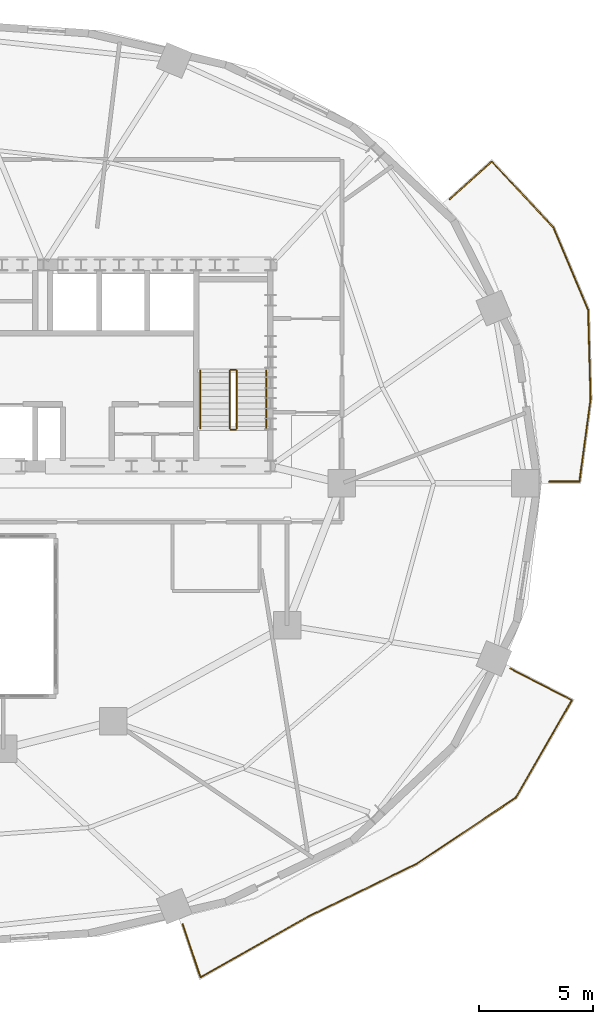
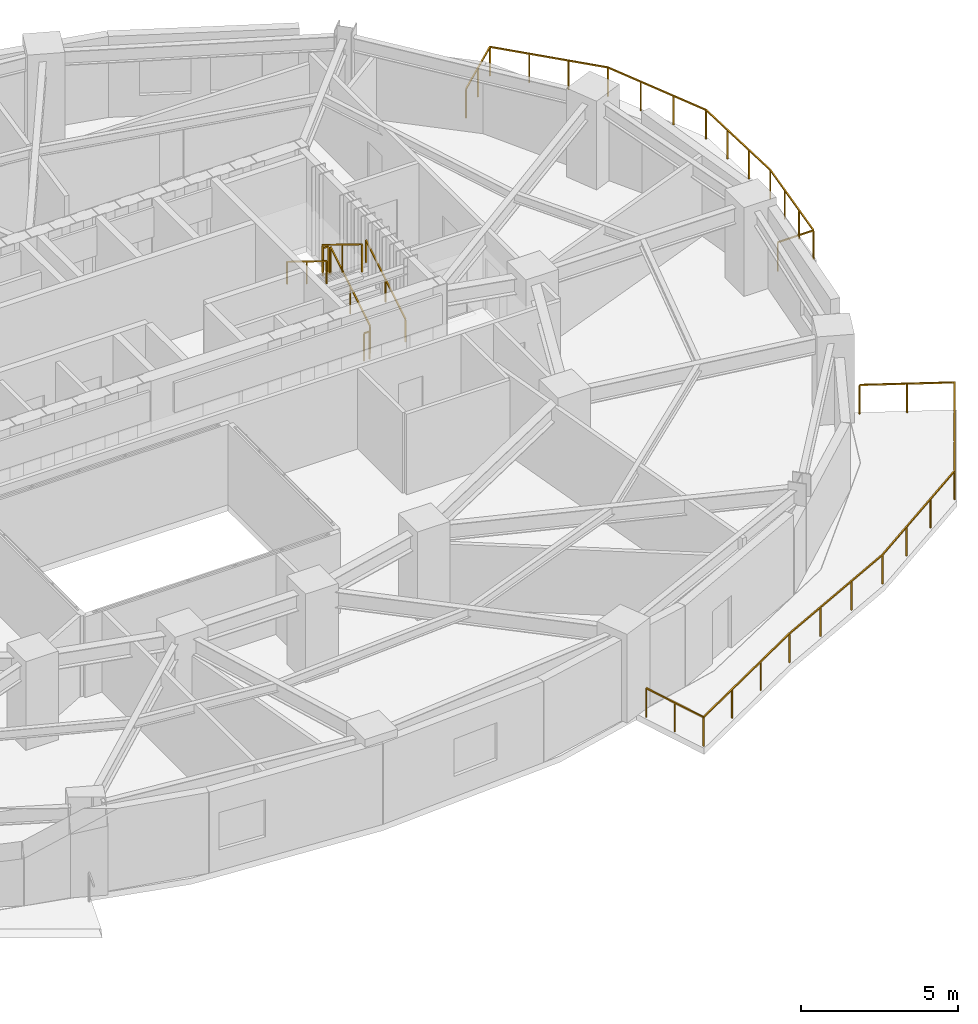
# One storey, part 12 of 12: 8 railings.
"""IFC4 building model written with IfcOpenShell, lengths in metres."""

from ifc_helpers import new_model, si_unit, direction, frame, origin, origin_2d, place, context, subcontext, project, spatial, rectangle, extrude, material, type_object, element, save


model = new_model("IFC4")

# Units and contexts
model_context = context("Model", 3, precision=1e-05, world=origin(), true_north=direction((0.0, 1.0)))
body_context = subcontext(model_context, "Body", "Model", "MODEL_VIEW")
ifc_project = project(units=[si_unit("LENGTHUNIT", "METRE"), si_unit("AREAUNIT", "SQUARE_METRE"), si_unit("VOLUMEUNIT", "CUBIC_METRE"), si_unit("PLANEANGLEUNIT", "RADIAN"), si_unit("MASSUNIT", "GRAM", prefix="KILO")], contexts=[model_context])

# Site, building, storey
site_placement = place(None, origin())
site = spatial("IfcSite", under=ifc_project, at=site_placement, CompositionType="ELEMENT")
building_placement = place(site_placement, origin())
building = spatial("IfcBuilding", under=site, at=building_placement, Name="Haldorwick Loom Tower", CompositionType="ELEMENT")
storey_placement = place(building_placement, frame((0.0, 0.0, 146.0)))
storey = spatial("IfcBuildingStorey", under=building, at=storey_placement, Name="L39", CompositionType="ELEMENT", Elevation=146.0)

# Railings
ifc_material_1 = material(Name="Galvanized Steel CSA G40.21 350W", Category="steel")
railing_type_1 = type_object("IfcRailingType", Name="ARC-RLG-BAL115", PredefinedType="BALUSTRADE", material=ifc_material_1)
railing_1_placement = place(storey_placement, frame((60.552734375, 17.91259765625, 0.0)))
element("IfcRailing", 1, at=railing_1_placement, inside=storey, type_object=railing_type_1, Name="L39 Outdoor Terrace Guardrail SLB-L39-BAL_SE-1", PredefinedType="BALUSTRADE", context=body_context, shape_type="SweptSolid", body=[
    extrude(rectangle(XDim=0.048095703125, YDim=0.048095703125, at=origin_2d()), frame((0.0, 0.0, 1.1259765625), z_axis=(0.88849659396, -0.45888321229, 0.0), x_axis=(0.45888321229, 0.88849659396, 0.0)), (0.0, 0.0, 1.0), 3.02783203125),
    extrude(rectangle(XDim=0.048095703125, YDim=0.048095703125, at=origin_2d()), frame((2.690185546875, -1.389404296875, 1.1259765625), z_axis=(-0.499653669952, -0.866225265219, 0.0), x_axis=(0.866225265219, -0.499653669952, 0.0)), (0.0, 0.0, 1.0), 4.91650390625),
    extrude(rectangle(XDim=0.048095703125, YDim=0.048095703125, at=origin_2d()), frame((0.233642578125, -5.648193359375, 1.1259765625), z_axis=(-0.831587514247, -0.555393739746, 0.0), x_axis=(0.555393739746, -0.831587514247, 0.0)), (0.0, 0.0, 1.0), 5.197509765625),
    extrude(rectangle(XDim=0.048095703125, YDim=0.048095703125, at=origin_2d()), frame((-4.088623046875, -8.534912109375, 1.1259765625), z_axis=(-0.899741530377, -0.436423164503, 0.0), x_axis=(0.436423164503, -0.899741530377, 0.0)), (0.0, 0.0, 1.0), 5.283203125),
    extrude(rectangle(XDim=0.048095703125, YDim=0.048095703125, at=origin_2d()), frame((-8.842041015625, -10.840576171875, 1.1259765625), z_axis=(-0.884918222382, -0.465746432833, 0.0), x_axis=(0.465746432833, -0.884918222382, 0.0)), (0.0, 0.0, 1.0), 0.005126953125),
    extrude(rectangle(XDim=0.048095703125, YDim=0.048095703125, at=origin_2d()), frame((-8.8466796875, -10.843017578125, 1.1259765625), z_axis=(-0.870535813637, -0.492105067212, 0.0), x_axis=(0.492105067212, -0.870535813637, 0.0)), (0.0, 0.0, 1.0), 5.38427734375),
    extrude(rectangle(XDim=0.048095703125, YDim=0.048095703125, at=origin_2d()), frame((-13.533935546875, -13.49267578125, 1.1259765625), z_axis=(-0.318031914644, 0.948080007841, 0.0), x_axis=(-0.948080007841, -0.318031914644, 0.0)), (0.0, 0.0, 1.0), 2.43505859375),
    extrude(rectangle(XDim=0.0419921875, YDim=0.0419921875, at=origin_2d()), origin(), (0.0, 0.0, 1.0), 1.101806640625),
    extrude(rectangle(XDim=0.0419921875, YDim=0.0419921875, at=origin_2d()), frame((1.34521484375, -0.69482421875, 0.0)), (0.0, 0.0, 1.0), 1.101806640625),
    extrude(rectangle(XDim=0.0419921875, YDim=0.0419921875, at=origin_2d()), frame((2.690185546875, -1.389404296875, 0.0)), (0.0, 0.0, 1.0), 1.101806640625),
    extrude(rectangle(XDim=0.0419921875, YDim=0.0419921875, at=origin_2d()), frame((1.871337890625, -2.80908203125, 0.0)), (0.0, 0.0, 1.0), 1.101806640625),
    extrude(rectangle(XDim=0.0419921875, YDim=0.0419921875, at=origin_2d()), frame((1.052490234375, -4.228515625, 0.0)), (0.0, 0.0, 1.0), 1.101806640625),
    extrude(rectangle(XDim=0.0419921875, YDim=0.0419921875, at=origin_2d()), frame((0.233642578125, -5.648193359375, 0.0)), (0.0, 0.0, 1.0), 1.101806640625),
    extrude(rectangle(XDim=0.0419921875, YDim=0.0419921875, at=origin_2d()), frame((-1.20703125, -6.6103515625, 0.0)), (0.0, 0.0, 1.0), 1.101806640625),
    extrude(rectangle(XDim=0.0419921875, YDim=0.0419921875, at=origin_2d()), frame((-2.64794921875, -7.57275390625, 0.0)), (0.0, 0.0, 1.0), 1.101806640625),
    extrude(rectangle(XDim=0.0419921875, YDim=0.0419921875, at=origin_2d()), frame((-4.088623046875, -8.534912109375, 0.0)), (0.0, 0.0, 1.0), 1.101806640625),
    extrude(rectangle(XDim=0.0419921875, YDim=0.0419921875, at=origin_2d()), frame((-5.673095703125, -9.303466796875, 0.0)), (0.0, 0.0, 1.0), 1.101806640625),
    extrude(rectangle(XDim=0.0419921875, YDim=0.0419921875, at=origin_2d()), frame((-7.257568359375, -10.072021484375, 0.0)), (0.0, 0.0, 1.0), 1.101806640625),
    extrude(rectangle(XDim=0.0419921875, YDim=0.0419921875, at=origin_2d()), frame((-8.842041015625, -10.840576171875, 0.0)), (0.0, 0.0, 1.0), 1.101806640625),
    extrude(rectangle(XDim=0.0419921875, YDim=0.0419921875, at=origin_2d()), frame((-10.4091796875, -11.726318359375, 0.0)), (0.0, 0.0, 1.0), 1.101806640625),
    extrude(rectangle(XDim=0.0419921875, YDim=0.0419921875, at=origin_2d()), frame((-11.971435546875, -12.609375, 0.0)), (0.0, 0.0, 1.0), 1.101806640625),
    extrude(rectangle(XDim=0.0419921875, YDim=0.0419921875, at=origin_2d()), frame((-13.533935546875, -13.49267578125, 0.0)), (0.0, 0.0, 1.0), 1.101806640625),
    extrude(rectangle(XDim=0.0419921875, YDim=0.0419921875, at=origin_2d()), frame((-13.921142578125, -12.33837890625, 0.0)), (0.0, 0.0, 1.0), 1.101806640625),
    extrude(rectangle(XDim=0.0419921875, YDim=0.0419921875, at=origin_2d()), frame((-14.308349609375, -11.18408203125, 0.0)), (0.0, 0.0, 1.0), 1.101806640625),
])
railing_2_placement = place(storey_placement, frame((57.912353515625, 38.41748046875, 0.0)))
element("IfcRailing", 2, at=railing_2_placement, inside=storey, type_object=railing_type_1, Name="L39 Outdoor Terrace Guardrail SLB-L39-BAL_ENE-1", PredefinedType="BALUSTRADE", context=body_context, shape_type="SweptSolid", body=[
    extrude(rectangle(XDim=0.048095703125, YDim=0.048095703125, at=origin_2d()), frame((0.0, 0.0, 1.1259765625), z_axis=(0.74343228508, 0.668811212152, 0.0), x_axis=(-0.668811212152, 0.74343228508, 0.0)), (0.0, 0.0, 1.0), 2.46044921875),
    extrude(rectangle(XDim=0.048095703125, YDim=0.048095703125, at=origin_2d()), frame((1.8291015625, 1.6455078125, 1.1259765625), z_axis=(0.683138961253, -0.73028840852, 0.0), x_axis=(0.73028840852, 0.683138961253, 0.0)), (0.0, 0.0, 1.0), 3.93017578125),
    extrude(rectangle(XDim=0.048095703125, YDim=0.048095703125, at=origin_2d()), frame((4.513916015625, -1.224609375, 1.1259765625), z_axis=(0.389591209707, -0.920987887716, 0.0), x_axis=(0.920987887716, 0.389591209707, 0.0)), (0.0, 0.0, 1.0), 3.91845703125),
    extrude(rectangle(XDim=0.048095703125, YDim=0.048095703125, at=origin_2d()), frame((6.04052734375, -4.83349609375, 1.1259765625), z_axis=(0.0273664576, -0.999625468362, 0.0), x_axis=(0.999625468362, 0.0273664576, 0.0)), (0.0, 0.0, 1.0), 3.907470703125),
    extrude(rectangle(XDim=0.048095703125, YDim=0.048095703125, at=origin_2d()), frame((6.1474609375, -8.739501953125, 1.1259765625), z_axis=(-0.133951807797, -0.990987847144, 0.0), x_axis=(0.990987847144, -0.133951807797, 0.0)), (0.0, 0.0, 1.0), 3.630615234375),
    extrude(rectangle(XDim=0.048095703125, YDim=0.048095703125, at=origin_2d()), frame((5.6611328125, -12.33740234375, 1.1259765625), z_axis=(-1.0, 0.0, 0.0), x_axis=(0.0, -1.0, 0.0)), (0.0, 0.0, 1.0), 1.313232421875),
    extrude(rectangle(XDim=0.0419921875, YDim=0.0419921875, at=origin_2d()), origin(), (0.0, 0.0, 1.0), 1.101806640625),
    extrude(rectangle(XDim=0.0419921875, YDim=0.0419921875, at=origin_2d()), frame((0.91455078125, 0.82275390625, 0.0)), (0.0, 0.0, 1.0), 1.101806640625),
    extrude(rectangle(XDim=0.0419921875, YDim=0.0419921875, at=origin_2d()), frame((1.8291015625, 1.6455078125, 0.0)), (0.0, 0.0, 1.0), 1.101806640625),
    extrude(rectangle(XDim=0.0419921875, YDim=0.0419921875, at=origin_2d()), frame((2.72412109375, 0.688720703125, 0.0)), (0.0, 0.0, 1.0), 1.101806640625),
    extrude(rectangle(XDim=0.0419921875, YDim=0.0419921875, at=origin_2d()), frame((3.618896484375, -0.267822265625, 0.0)), (0.0, 0.0, 1.0), 1.101806640625),
    extrude(rectangle(XDim=0.0419921875, YDim=0.0419921875, at=origin_2d()), frame((4.513916015625, -1.224609375, 0.0)), (0.0, 0.0, 1.0), 1.101806640625),
    extrude(rectangle(XDim=0.0419921875, YDim=0.0419921875, at=origin_2d()), frame((5.022705078125, -2.427490234375, 0.0)), (0.0, 0.0, 1.0), 1.101806640625),
    extrude(rectangle(XDim=0.0419921875, YDim=0.0419921875, at=origin_2d()), frame((5.53173828125, -3.630615234375, 0.0)), (0.0, 0.0, 1.0), 1.101806640625),
    extrude(rectangle(XDim=0.0419921875, YDim=0.0419921875, at=origin_2d()), frame((6.04052734375, -4.83349609375, 0.0)), (0.0, 0.0, 1.0), 1.101806640625),
    extrude(rectangle(XDim=0.0419921875, YDim=0.0419921875, at=origin_2d()), frame((6.076171875, -6.135498046875, 0.0)), (0.0, 0.0, 1.0), 1.101806640625),
    extrude(rectangle(XDim=0.0419921875, YDim=0.0419921875, at=origin_2d()), frame((6.11181640625, -7.4375, 0.0)), (0.0, 0.0, 1.0), 1.101806640625),
    extrude(rectangle(XDim=0.0419921875, YDim=0.0419921875, at=origin_2d()), frame((6.1474609375, -8.739501953125, 0.0)), (0.0, 0.0, 1.0), 1.101806640625),
    extrude(rectangle(XDim=0.0419921875, YDim=0.0419921875, at=origin_2d()), frame((5.9853515625, -9.938720703125, 0.0)), (0.0, 0.0, 1.0), 1.101806640625),
    extrude(rectangle(XDim=0.0419921875, YDim=0.0419921875, at=origin_2d()), frame((5.8232421875, -11.13818359375, 0.0)), (0.0, 0.0, 1.0), 1.101806640625),
    extrude(rectangle(XDim=0.0419921875, YDim=0.0419921875, at=origin_2d()), frame((5.6611328125, -12.33740234375, 0.0)), (0.0, 0.0, 1.0), 1.101806640625),
    extrude(rectangle(XDim=0.0419921875, YDim=0.0419921875, at=origin_2d()), frame((4.347900390625, -12.33740234375, 0.0)), (0.0, 0.0, 1.0), 1.101806640625),
])
ifc_material_2 = material(Name="Steel CSA G40.21 350W", Category="steel")
railing_type_2 = type_object("IfcRailingType", Name="ARC-RLG-GUARD112", PredefinedType="GUARDRAIL", material=ifc_material_2)
railing_3_placement = place(storey_placement, frame((48.60009765625, 28.39990234375, 0.172607421875)))
element("IfcRailing", 3, at=railing_3_placement, inside=storey, type_object=railing_type_2, Name="L39 ST-02 stair guard 1", PredefinedType="GUARDRAIL", context=body_context, shape_type="SweptSolid", body=[
    extrude(rectangle(XDim=0.048095703125, YDim=0.048095703125, at=origin_2d()), frame((0.0, 0.0, 1.076171875), z_axis=(0.0, 0.851400495292, 0.524516154772), x_axis=(-1.0, 0.0, 0.0)), (0.0, 0.0, 1.0), 2.9599609375),
    extrude(rectangle(XDim=0.0419921875, YDim=0.0419921875, at=origin_2d()), origin(), (0.0, 0.0, 1.0), 1.052001953125),
    extrude(rectangle(XDim=0.0419921875, YDim=0.0419921875, at=origin_2d()), frame((0.0, 1.260009765625, 0.7763671875)), (0.0, 0.0, 1.0), 1.052001953125),
    extrude(rectangle(XDim=0.0419921875, YDim=0.0419921875, at=origin_2d()), frame((0.0, 2.52001953125, 1.552490234375)), (0.0, 0.0, 1.0), 1.052001953125),
])
railing_4_placement = place(storey_placement, frame((48.550048828125, 30.969970703125, 1.72509765625)))
element("IfcRailing", 4, at=railing_4_placement, inside=storey, type_object=railing_type_2, Name="L39 ST-02 stair guard 2", PredefinedType="GUARDRAIL", context=body_context, shape_type="SweptSolid", body=[
    extrude(rectangle(XDim=0.048095703125, YDim=0.048095703125, at=origin_2d()), frame((0.0, 0.0, 1.076171875), z_axis=(-1.0, 0.0, 0.0), x_axis=(0.0, -1.0, 0.0)), (0.0, 0.0, 1.0), 0.199951171875),
    extrude(rectangle(XDim=0.0419921875, YDim=0.0419921875, at=origin_2d()), origin(), (0.0, 0.0, 1.0), 1.052001953125),
    extrude(rectangle(XDim=0.0419921875, YDim=0.0419921875, at=origin_2d()), frame((-0.199951171875, 0.0, 0.0)), (0.0, 0.0, 1.0), 1.052001953125),
])
railing_5_placement = place(storey_placement, frame((48.300048828125, 30.919921875, 1.8974609375)))
element("IfcRailing", 5, at=railing_5_placement, inside=storey, type_object=railing_type_2, Name="L39 ST-02 stair guard 3", PredefinedType="GUARDRAIL", context=body_context, shape_type="SweptSolid", body=[
    extrude(rectangle(XDim=0.048095703125, YDim=0.048095703125, at=origin_2d()), frame((0.0, 0.0, 1.076171875), z_axis=(0.0, -0.851400495292, 0.524516154772), x_axis=(1.0, 0.0, 0.0)), (0.0, 0.0, 1.0), 2.9599609375),
    extrude(rectangle(XDim=0.0419921875, YDim=0.0419921875, at=origin_2d()), origin(), (0.0, 0.0, 1.0), 1.052001953125),
    extrude(rectangle(XDim=0.0419921875, YDim=0.0419921875, at=origin_2d()), frame((0.0, -1.260009765625, 0.7763671875)), (0.0, 0.0, 1.0), 1.052001953125),
    extrude(rectangle(XDim=0.0419921875, YDim=0.0419921875, at=origin_2d()), frame((0.0, -2.52001953125, 1.552490234375)), (0.0, 0.0, 1.0), 1.052001953125),
])
railing_6_placement = place(storey_placement, frame((48.550048828125, 28.35009765625, 0.0)))
element("IfcRailing", 6, at=railing_6_placement, inside=storey, type_object=railing_type_2, Name="L39 ST-02 stair guard 4", PredefinedType="GUARDRAIL", context=body_context, shape_type="SweptSolid", body=[
    extrude(rectangle(XDim=0.048095703125, YDim=0.048095703125, at=origin_2d()), frame((0.0, 0.0, 1.076171875), z_axis=(-1.0, 0.0, 0.0), x_axis=(0.0, -1.0, 0.0)), (0.0, 0.0, 1.0), 0.199951171875),
    extrude(rectangle(XDim=0.0419921875, YDim=0.0419921875, at=origin_2d()), origin(), (0.0, 0.0, 1.0), 1.052001953125),
    extrude(rectangle(XDim=0.0419921875, YDim=0.0419921875, at=origin_2d()), frame((-0.199951171875, 0.0, 0.0)), (0.0, 0.0, 1.0), 1.052001953125),
])
railing_type_3 = type_object("IfcRailingType", Name="ARC-RLG-HAND092", PredefinedType="HANDRAIL", material=ifc_material_2)
railing_7_placement = place(storey_placement, frame((49.89990234375, 28.39990234375, 0.172607421875)))
element("IfcRailing", 7, at=railing_7_placement, inside=storey, type_object=railing_type_3, Name="L39 ST-02 stair handrail 1", PredefinedType="HANDRAIL", context=body_context, shape_type="SweptSolid", body=[
    extrude(rectangle(XDim=0.048095703125, YDim=0.048095703125, at=origin_2d()), frame((0.0, 0.0, 0.8759765625), z_axis=(0.0, 0.851400495292, 0.524516154772), x_axis=(-1.0, 0.0, 0.0)), (0.0, 0.0, 1.0), 2.9599609375),
    extrude(rectangle(XDim=0.0419921875, YDim=0.0419921875, at=origin_2d()), origin(), (0.0, 0.0, 1.0), 0.851806640625),
    extrude(rectangle(XDim=0.0419921875, YDim=0.0419921875, at=origin_2d()), frame((0.0, 1.260009765625, 0.7763671875)), (0.0, 0.0, 1.0), 0.851806640625),
    extrude(rectangle(XDim=0.0419921875, YDim=0.0419921875, at=origin_2d()), frame((0.0, 2.52001953125, 1.552490234375)), (0.0, 0.0, 1.0), 0.851806640625),
])
railing_8_placement = place(storey_placement, frame((47.0, 30.919921875, 1.8974609375)))
element("IfcRailing", 8, at=railing_8_placement, inside=storey, type_object=railing_type_3, Name="L39 ST-02 stair handrail 2", PredefinedType="HANDRAIL", context=body_context, shape_type="SweptSolid", body=[
    extrude(rectangle(XDim=0.048095703125, YDim=0.048095703125, at=origin_2d()), frame((0.0, 0.0, 0.8759765625), z_axis=(0.0, -0.851400495292, 0.524516154772), x_axis=(1.0, 0.0, 0.0)), (0.0, 0.0, 1.0), 2.9599609375),
    extrude(rectangle(XDim=0.0419921875, YDim=0.0419921875, at=origin_2d()), origin(), (0.0, 0.0, 1.0), 0.851806640625),
    extrude(rectangle(XDim=0.0419921875, YDim=0.0419921875, at=origin_2d()), frame((0.0, -1.260009765625, 0.7763671875)), (0.0, 0.0, 1.0), 0.851806640625),
    extrude(rectangle(XDim=0.0419921875, YDim=0.0419921875, at=origin_2d()), frame((0.0, -2.52001953125, 1.552490234375)), (0.0, 0.0, 1.0), 0.851806640625),
])

save(model, "model.ifc")
